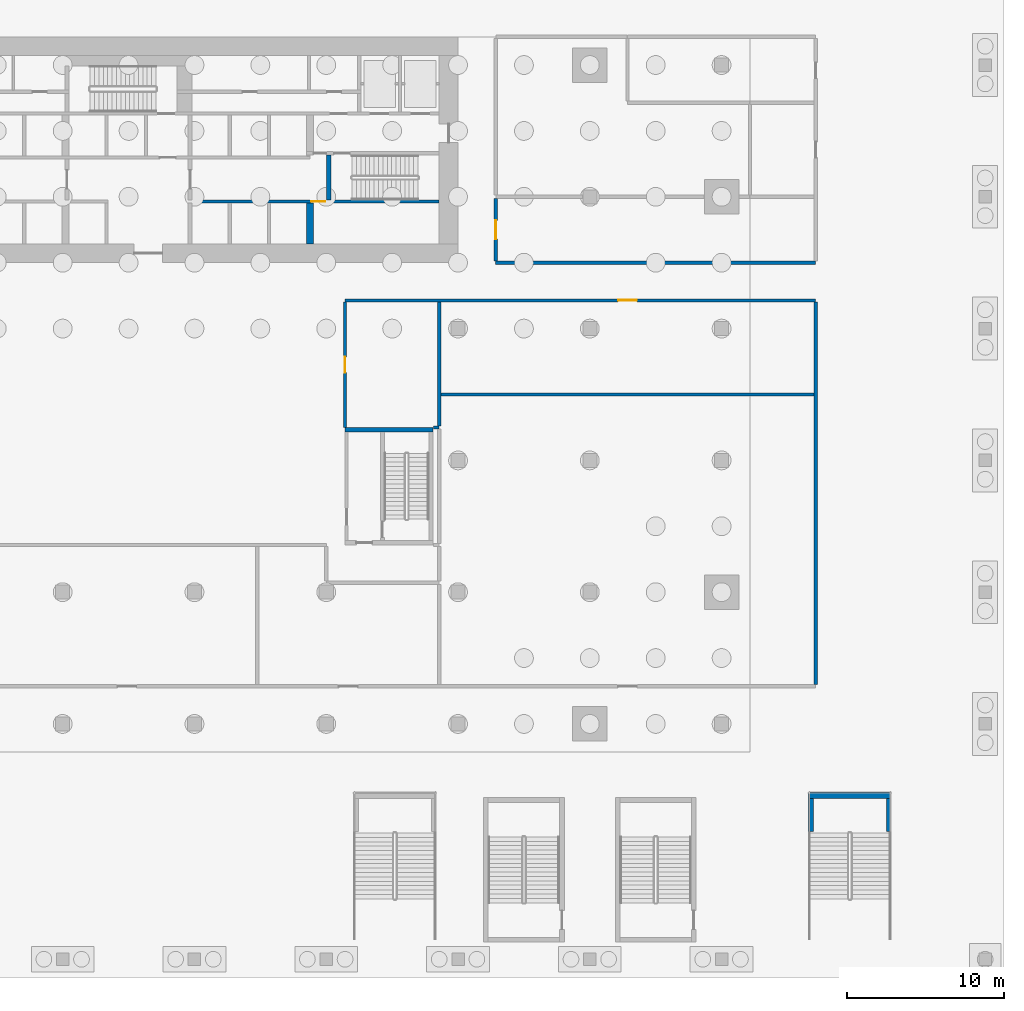
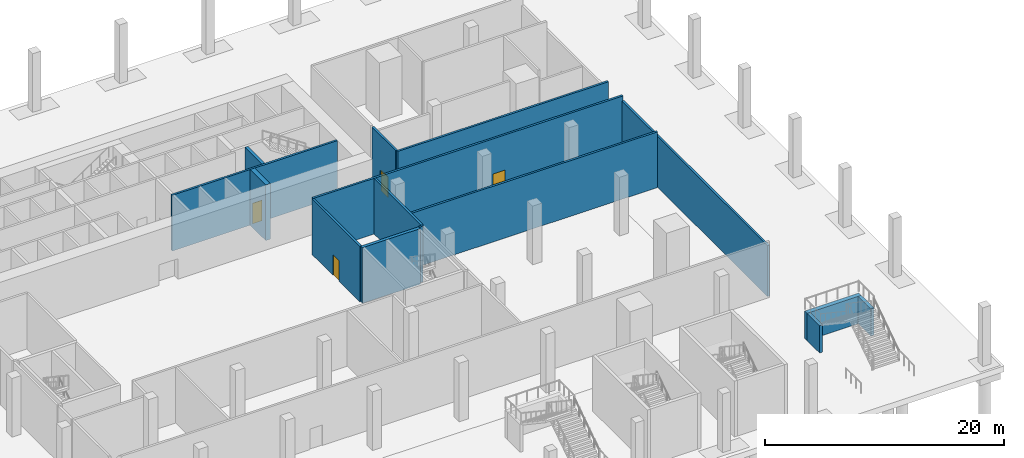
# One storey, part 8 of 16: 15 walls, 4 doors, 4 openings.
"""IFC4 building model written with IfcOpenShell, lengths in metres."""

from ifc_helpers import new_model, si_unit, direction, frame, frame_2d, origin, place, context, subcontext, project, spatial, rectangle, extrude, material, layer, layer_set, type_object, element, fill, save


model = new_model("IFC4")

# Units and contexts
model_context = context("Model", 3, precision=1e-05, world=origin(), true_north=direction((0.0, 1.0)))
body_context = subcontext(model_context, "Body", "Model", "MODEL_VIEW")
ifc_project = project(units=[si_unit("LENGTHUNIT", "METRE"), si_unit("AREAUNIT", "SQUARE_METRE"), si_unit("VOLUMEUNIT", "CUBIC_METRE"), si_unit("PLANEANGLEUNIT", "RADIAN"), si_unit("MASSUNIT", "GRAM", prefix="KILO")], contexts=[model_context])

# Site, building, storey
site_placement = place(None, origin())
site = spatial("IfcSite", under=ifc_project, at=site_placement, CompositionType="ELEMENT")
building_placement = place(site_placement, origin())
building = spatial("IfcBuilding", under=site, at=building_placement, Name="Saffron Gate Tower", CompositionType="ELEMENT")
storey_placement = place(building_placement, frame((0.0, 0.0, -6.0)))
storey = spatial("IfcBuildingStorey", under=building, at=storey_placement, Name="B1", CompositionType="ELEMENT", Elevation=-6.0)

# Wall, opening, door
ifc_material_1 = material(Name="Concrete C70", Category="concrete")
ifc_layer_1 = layer(ifc_material_1, 0.199951171875)
ifc_layer_set_1 = layer_set([ifc_layer_1], Name="CW3 RC core wall 200 C70")
wall_type_1 = type_object("IfcWallType", Name="CW3 RC core wall 200 C70", PredefinedType="SOLIDWALL", material=ifc_layer_set_1)
wall_1_placement = place(storey_placement, frame((91.39990234375, 65.10009765625, 0.0), z_axis=(0.0, 0.0, 1.0), x_axis=(1.0, 0.0, 0.0)))
wall_1 = element("IfcWall", 1, at=wall_1_placement, inside=storey, type_object=wall_type_1, Name="Wall CW3-B1-15", PredefinedType="SOLIDWALL", context=body_context, shape_type="SweptSolid", body=[
    extrude(rectangle(XDim=16.0, YDim=0.199951171875, at=frame_2d((8.0, 0.0))), origin(), (0.0, 0.0, 1.0), 5.699951171875),
])
opening_1_placement = place(wall_1_placement, frame((7.830078125, 0.0, 0.0)))
opening_1 = element("IfcOpeningElement", 2, at=opening_1_placement, cuts=wall_1, Name="Opening CR-48", PredefinedType="OPENING", context=body_context, shape_type="SweptSolid", body=[
    extrude(rectangle(XDim=0.89990234375, YDim=2.10009765625, at=frame_2d((0.449951171875, 1.050048828125))), frame((0.0, 0.10986328125, 0.0), z_axis=(0.0, -1.0, 0.0), x_axis=(1.0, 0.0, 0.0)), (0.0, 0.0, 1.0), 0.219970703125),
])
ifc_material_2 = material(Name="Steel fire door set", Category="steel")
door_type_1 = type_object("IfcDoorType", Name="CD2 Riser door 900x2100 EI 60", OperationType="NOTDEFINED", PredefinedType="DOOR", material=ifc_material_2)
door_1_placement = place(opening_1_placement, origin())
door_1 = element("IfcDoor", 3, at=door_1_placement, inside=storey, type_object=door_type_1, Name="DOOR CR-48", OperationType="SINGLE_SWING_RIGHT", OverallHeight=2.10009765625, OverallWidth=0.89990234375, PredefinedType="DOOR", context=body_context, shape_type="SweptSolid", body=[
    extrude(rectangle(XDim=0.89990234375, YDim=2.10009765625, at=frame_2d((0.449951171875, 1.050048828125))), frame((0.0, 0.02490234375, 0.0), z_axis=(0.0, -1.0, 0.0), x_axis=(1.0, 0.0, 0.0)), (0.0, 0.0, 1.0), 0.050048828125),
])
fill(opening_1, door_1)

# Walls
ifc_layer_2 = layer(ifc_material_1, 0.39990234375)
ifc_layer_set_2 = layer_set([ifc_layer_2], Name="CW32 RC stair support wall 400 C70")
wall_type_2 = type_object("IfcWallType", Name="CW32 RC stair support wall 400 C70", PredefinedType="SOLIDWALL", material=ifc_layer_set_2)
wall_2_placement = place(storey_placement, frame((136.199951171875, 27.25, 0.0), z_axis=(0.0, 0.0, 1.0), x_axis=(-1.0, 0.0, 0.0)))
element("IfcWall", 4, at=wall_2_placement, inside=storey, type_object=wall_type_2, Name="Wall CW32-SS4-far", PredefinedType="SOLIDWALL", context=body_context, shape_type="SweptSolid", body=[
    extrude(rectangle(XDim=5.25, YDim=0.39990234375, at=frame_2d((2.625, 0.0))), origin(), (0.0, 0.0, 1.0), 2.800048828125),
])
ifc_layer_3 = layer(ifc_material_1, 0.300048828125)
ifc_layer_set_3 = layer_set([ifc_layer_3], Name="CW33 RC stair support wall 300 C70")
wall_type_3 = type_object("IfcWallType", Name="CW33 RC stair support wall 300 C70", PredefinedType="SOLIDWALL", material=ifc_layer_set_3)
for number, where, z_axis, x_axis, name in (
    (5, (136.050048828125, 24.949951171875, 0.0), (0.0, 0.0, 1.0), (0.0, 1.0, 0.0), "Wall CW33-SS4-side-a"),
    (6, (131.10009765625, 24.949951171875, 0.0), (0.0, 0.0, 1.0), (0.0, 1.0, 0.0), "Wall CW33-SS4-side-b"),
):
    element("IfcWall", number, at=place(storey_placement, frame(where, z_axis=z_axis, x_axis=x_axis)), inside=storey, type_object=wall_type_3, Name=name, PredefinedType="SOLIDWALL", context=body_context, shape_type="SweptSolid", body=[
        extrude(rectangle(XDim=2.10009765625, YDim=0.300048828125, at=frame_2d((1.050048828125, 0.0))), origin(), (0.0, 0.0, 1.0), 2.800048828125),
    ])
ifc_layer_4 = layer(ifc_material_1, 0.449951171875)
ifc_layer_set_4 = layer_set([ifc_layer_4], Name="CW4 RC core wall 450 C70")
wall_type_4 = type_object("IfcWallType", Name="CW4 RC core wall 450 C70", PredefinedType="SOLIDWALL", material=ifc_layer_set_4)
wall_3_placement = place(storey_placement, frame((99.175048828125, 62.39990234375, 0.0), z_axis=(0.0, 0.0, 1.0), x_axis=(0.0, 1.0, 0.0)))
element("IfcWall", 7, at=wall_3_placement, inside=storey, type_object=wall_type_4, Name="Wall CW4-B1-13", PredefinedType="SOLIDWALL", context=body_context, shape_type="SweptSolid", body=[
    extrude(rectangle(XDim=2.60009765625, YDim=0.449951171875, at=frame_2d((1.300048828125, 0.0))), origin(), (0.0, 0.0, 1.0), 5.699951171875),
])
ifc_layer_5 = layer(ifc_material_1, 0.300048828125)
ifc_layer_set_5 = layer_set([ifc_layer_5], Name="CW5 RC core wall 300 C70")
wall_type_5 = type_object("IfcWallType", Name="CW5 RC core wall 300 C70", PredefinedType="SOLIDWALL", material=ifc_layer_set_5)
wall_4_placement = place(storey_placement, frame((100.35009765625, 65.199951171875, 0.0), z_axis=(0.0, 0.0, 1.0), x_axis=(0.0, 1.0, 0.0)))
element("IfcWall", 8, at=wall_4_placement, inside=storey, type_object=wall_type_5, Name="Wall CW5-B1-19", PredefinedType="SOLIDWALL", context=body_context, shape_type="SweptSolid", body=[
    extrude(rectangle(XDim=2.85009765625, YDim=0.300048828125, at=frame_2d((1.425048828125, 0.0))), origin(), (0.0, 0.0, 1.0), 5.699951171875),
])
wall_5_placement = place(storey_placement, frame((101.39990234375, 50.550048828125, 0.0), z_axis=(0.0, 0.0, 1.0), x_axis=(1.0, 0.0, 0.0)))
element("IfcWall", 9, at=wall_5_placement, inside=storey, type_object=wall_type_5, Name="Wall CW5-B1-E-5", PredefinedType="SOLIDWALL", context=body_context, shape_type="SweptSolid", body=[
    extrude(rectangle(XDim=5.60009765625, YDim=0.300048828125, at=frame_2d((2.800048828125, 0.0))), origin(), (0.0, 0.0, 1.0), 5.699951171875),
])

# Wall, opening, door
ifc_material_3 = material(Name="Clay brick masonry, rendered", Category="masonry")
ifc_layer_6 = layer(ifc_material_3, 0.199951171875)
ifc_layer_set_6 = layer_set([ifc_layer_6], Name="PW3 Corridor wall 200")
wall_type_6 = type_object("IfcWallType", Name="PW3 Corridor wall 200", PredefinedType="PARTITIONING", material=ifc_layer_set_6)
wall_6_placement = place(storey_placement, frame((131.39990234375, 58.800048828125, 0.0), z_axis=(0.0, 0.0, 1.0), x_axis=(-1.0, 0.0, 0.0)))
wall_6 = element("IfcWall", 10, at=wall_6_placement, inside=storey, type_object=wall_type_6, Name="Wall BS-12", PredefinedType="PARTITIONING", context=body_context, shape_type="SweptSolid", body=[
    extrude(rectangle(XDim=30.0, YDim=0.199951171875, at=frame_2d((15.0, 0.0))), origin(), (0.0, 0.0, 1.0), 5.699951171875),
])
opening_2_placement = place(wall_6_placement, frame((11.39990234375, 0.0, 0.0)))
opening_2 = element("IfcOpeningElement", 11, at=opening_2_placement, cuts=wall_6, Name="Opening BS-12", PredefinedType="OPENING", context=body_context, shape_type="SweptSolid", body=[
    extrude(rectangle(XDim=1.199951171875, YDim=2.10009765625, at=frame_2d((0.60009765625, 1.050048828125))), frame((0.0, 0.10986328125, 0.0), z_axis=(0.0, -1.0, 0.0), x_axis=(1.0, 0.0, 0.0)), (0.0, 0.0, 1.0), 0.219970703125),
])
ifc_material_4 = material(Name="Timber door set", Category="wood")
door_type_2 = type_object("IfcDoorType", Name="HD1 Hall door 1200x2100", OperationType="NOTDEFINED", PredefinedType="DOOR", material=ifc_material_4)
door_2_placement = place(opening_2_placement, origin())
door_2 = element("IfcDoor", 12, at=door_2_placement, inside=storey, type_object=door_type_2, Name="Door BS-12", OperationType="SINGLE_SWING_LEFT", OverallHeight=2.10009765625, OverallWidth=1.199951171875, PredefinedType="DOOR", context=body_context, shape_type="SweptSolid", body=[
    extrude(rectangle(XDim=1.199951171875, YDim=2.10009765625, at=frame_2d((0.60009765625, 1.050048828125))), frame((0.0, 0.02490234375, 0.0), z_axis=(0.0, -1.0, 0.0), x_axis=(1.0, 0.0, 0.0)), (0.0, 0.0, 1.0), 0.050048828125),
])
fill(opening_2, door_2)

# Wall
wall_7_placement = place(storey_placement, frame((111.0, 61.199951171875, 0.0), z_axis=(0.0, 0.0, 1.0), x_axis=(1.0, 0.0, 0.0)))
element("IfcWall", 13, at=wall_7_placement, inside=storey, type_object=wall_type_6, Name="Wall BS-14", PredefinedType="PARTITIONING", context=body_context, shape_type="SweptSolid", body=[
    extrude(rectangle(XDim=20.39990234375, YDim=0.199951171875, at=frame_2d((10.199951171875, 0.0))), origin(), (0.0, 0.0, 1.0), 5.699951171875),
])

# Wall, opening, door
wall_8_placement = place(storey_placement, frame((101.39990234375, 58.699951171875, 0.0), z_axis=(0.0, 0.0, 1.0), x_axis=(0.0, -1.0, 0.0)))
wall_8 = element("IfcWall", 14, at=wall_8_placement, inside=storey, type_object=wall_type_6, Name="Wall BS-44", PredefinedType="PARTITIONING", context=body_context, shape_type="SweptSolid", body=[
    extrude(rectangle(XDim=8.0, YDim=0.199951171875, at=frame_2d((4.0, 0.0))), origin(), (0.0, 0.0, 1.0), 5.699951171875),
])
opening_3_placement = place(wall_8_placement, frame((3.5, 0.0, 0.0)))
opening_3 = element("IfcOpeningElement", 15, at=opening_3_placement, cuts=wall_8, Name="Opening BS-4", PredefinedType="OPENING", context=body_context, shape_type="SweptSolid", body=[
    extrude(rectangle(XDim=1.0, YDim=2.10009765625, at=frame_2d((0.5, 1.050048828125))), frame((0.0, 0.10986328125, 0.0), z_axis=(0.0, -1.0, 0.0), x_axis=(1.0, 0.0, 0.0)), (0.0, 0.0, 1.0), 0.219970703125),
])
door_type_3 = type_object("IfcDoorType", Name="RD1 Room door 900x2100", OperationType="NOTDEFINED", PredefinedType="DOOR", material=ifc_material_4)
door_3_placement = place(opening_3_placement, origin())
door_3 = element("IfcDoor", 16, at=door_3_placement, inside=storey, type_object=door_type_3, Name="Door BS-4", OperationType="SINGLE_SWING_RIGHT", OverallHeight=2.10009765625, OverallWidth=1.0, PredefinedType="DOOR", context=body_context, shape_type="SweptSolid", body=[
    extrude(rectangle(XDim=1.0, YDim=2.10009765625, at=frame_2d((0.5, 1.050048828125))), frame((0.0, 0.02490234375, 0.0), z_axis=(0.0, -1.0, 0.0), x_axis=(1.0, 0.0, 0.0)), (0.0, 0.0, 1.0), 0.050048828125),
])
fill(opening_3, door_3)

wall_9_placement = place(storey_placement, frame((111.0, 65.300048828125, 0.0), z_axis=(0.0, 0.0, 1.0), x_axis=(0.0, -1.0, 0.0)))
wall_9 = element("IfcWall", 17, at=wall_9_placement, inside=storey, type_object=wall_type_6, Name="Wall BS-49", PredefinedType="PARTITIONING", context=body_context, shape_type="SweptSolid", body=[
    extrude(rectangle(XDim=4.0, YDim=0.199951171875, at=frame_2d((2.0, 0.0))), origin(), (0.0, 0.0, 1.0), 5.699951171875),
])
opening_4_placement = place(wall_9_placement, frame((1.39990234375, 0.0, 0.0)))
opening_4 = element("IfcOpeningElement", 18, at=opening_4_placement, cuts=wall_9, Name="Opening BS-13", PredefinedType="OPENING", context=body_context, shape_type="SweptSolid", body=[
    extrude(rectangle(XDim=1.199951171875, YDim=2.10009765625, at=frame_2d((0.60009765625, 1.050048828125))), frame((0.0, 0.10986328125, 0.0), z_axis=(0.0, -1.0, 0.0), x_axis=(1.0, 0.0, 0.0)), (0.0, 0.0, 1.0), 0.219970703125),
])
door_4_placement = place(opening_4_placement, origin())
door_4 = element("IfcDoor", 19, at=door_4_placement, inside=storey, type_object=door_type_2, Name="Door BS-13", OperationType="SINGLE_SWING_RIGHT", OverallHeight=2.10009765625, OverallWidth=1.199951171875, PredefinedType="DOOR", context=body_context, shape_type="SweptSolid", body=[
    extrude(rectangle(XDim=1.199951171875, YDim=2.10009765625, at=frame_2d((0.60009765625, 1.050048828125))), frame((0.0, 0.02490234375, 0.0), z_axis=(0.0, -1.0, 0.0), x_axis=(1.0, 0.0, 0.0)), (0.0, 0.0, 1.0), 0.050048828125),
])
fill(opening_4, door_4)

# Walls
wall_10_placement = place(storey_placement, frame((131.39990234375, 58.699951171875, 0.0), z_axis=(0.0, 0.0, 1.0), x_axis=(0.0, -1.0, 0.0)))
element("IfcWall", 20, at=wall_10_placement, inside=storey, type_object=wall_type_6, Name="Wall BS-53", PredefinedType="PARTITIONING", context=body_context, shape_type="SweptSolid", body=[
    extrude(rectangle(XDim=24.39990234375, YDim=0.199951171875, at=frame_2d((12.199951171875, 0.0))), origin(), (0.0, 0.0, 1.0), 5.199951171875),
])
ifc_layer_7 = layer(ifc_material_3, 0.199951171875)
ifc_layer_set_7 = layer_set([ifc_layer_7], Name="PW5 Room wall 200")
wall_type_7 = type_object("IfcWallType", Name="PW5 Room wall 200", PredefinedType="PARTITIONING", material=ifc_layer_set_7)
wall_11_placement = place(storey_placement, frame((107.050048828125, 50.699951171875, 0.0), z_axis=(0.0, 0.0, 1.0), x_axis=(1.0, 0.0, 0.0)))
element("IfcWall", 21, at=wall_11_placement, inside=storey, type_object=wall_type_7, Name="Wall BS-8", PredefinedType="PARTITIONING", context=body_context, shape_type="SweptSolid", body=[
    extrude(rectangle(XDim=0.329833984375, YDim=0.199951171875, at=frame_2d((0.1650390625, 0.0))), origin(), (0.0, 0.0, 1.0), 5.699951171875),
])
wall_12_placement = place(storey_placement, frame((107.5, 52.800048828125, 0.0), z_axis=(0.0, 0.0, 1.0), x_axis=(1.0, 0.0, 0.0)))
element("IfcWall", 22, at=wall_12_placement, inside=storey, type_object=wall_type_7, Name="Wall BS-10", PredefinedType="PARTITIONING", context=body_context, shape_type="SweptSolid", body=[
    extrude(rectangle(XDim=23.800048828125, YDim=0.199951171875, at=frame_2d((11.89990234375, 0.0))), origin(), (0.0, 0.0, 1.0), 5.699951171875),
])
wall_13_placement = place(storey_placement, frame((107.39990234375, 58.699951171875, 0.0), z_axis=(0.0, 0.0, 1.0), x_axis=(0.0, -1.0, 0.0)))
element("IfcWall", 23, at=wall_13_placement, inside=storey, type_object=wall_type_7, Name="Wall BS-48", PredefinedType="PARTITIONING", context=body_context, shape_type="SweptSolid", body=[
    extrude(rectangle(XDim=7.89990234375, YDim=0.199951171875, at=frame_2d((3.949951171875, 0.0))), origin(), (0.0, 0.0, 1.0), 5.699951171875),
])

save(model, "model.ifc")
